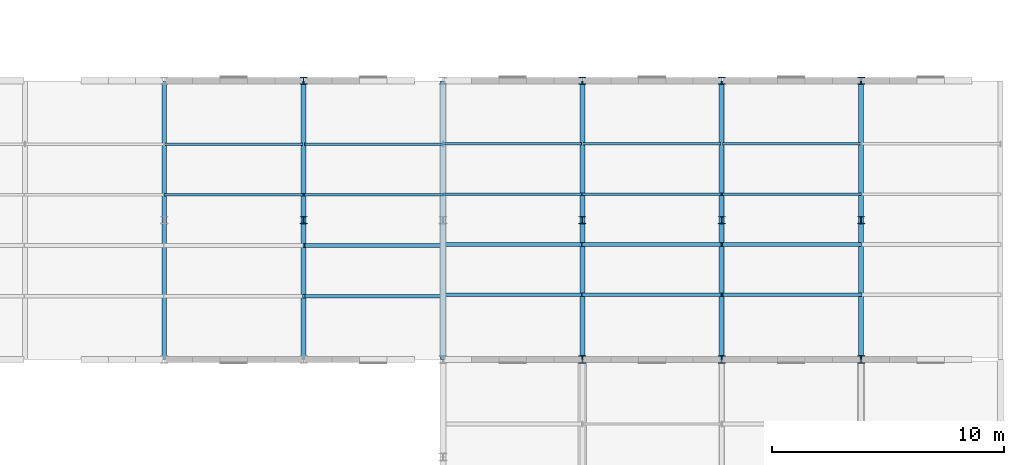
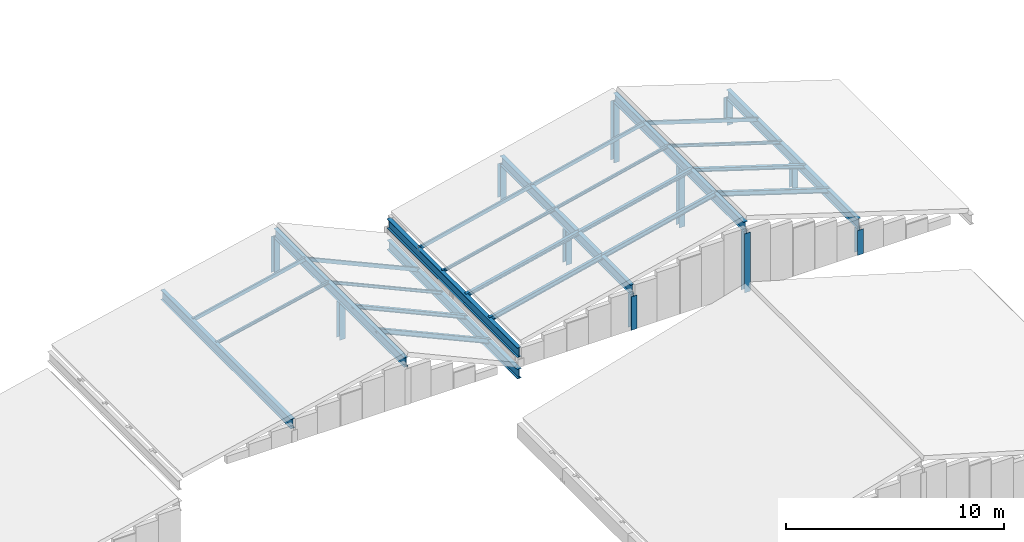
# One storey, part 18 of 74: 29 members, 7 beams.
"""IFC4 building model written with IfcOpenShell, lengths in metres."""

import ifcopenshell
import ifcopenshell.guid

model = None  # the IFC model being written
_history = None  # IfcOwnerHistory: only IFC2X3 demands one
_inside = {}  # id of a spatial element -> (the spatial element, [elements in it])
_under = {}  # id of a project, library or spatial element -> (it, [spatial elements below it])
_declared = {}  # id of a project -> (the project, [libraries it declares])
_typed = {}  # id of a type object -> (the type object, [elements of that type])
_made_of = {}  # id of a material, layer set ... -> (it, [elements and type objects made of it])


def new_model(schema):
    """Start an empty IFC model of exactly this schema.

    Asked for "IFC4X3", IfcOpenShell would pick the latest addendum, in which some entities
    have other attributes; the version numbers below select the first issue.
    IFC2X3 requires an IfcOwnerHistory on every rooted entity: one is made here for all.
    """
    global model, _history
    if schema == "IFC4X3":
        model = ifcopenshell.file(schema_version=(4, 3, 0, 0))
    else:
        model = ifcopenshell.file(schema=schema)
    _inside.clear()
    _under.clear()
    _declared.clear()
    _typed.clear()
    _made_of.clear()
    _history = None
    if model.schema == "IFC2X3":
        org = make("IfcOrganization", Name="unknown")
        user = make(
            "IfcPersonAndOrganization",
            ThePerson=make("IfcPerson", FamilyName="unknown"),
            TheOrganization=org,
        )
        app = make(
            "IfcApplication",
            ApplicationDeveloper=org,
            Version="unknown",
            ApplicationFullName="unknown",
            ApplicationIdentifier="unknown",
        )
        _history = make(
            "IfcOwnerHistory",
            OwningUser=user,
            OwningApplication=app,
            ChangeAction="ADDED",
            CreationDate=0,
        )
    return model


def make(cls, **values):
    """One entity of the class cls with the attributes given. An attribute that is None is left unset."""
    return model.create_entity(
        cls, **{name: value for name, value in values.items() if value is not None}
    )


def rooted(cls, **values):
    """An entity with a GlobalId (a new one), such as an element, a storey or a relation."""
    return make(cls, GlobalId=ifcopenshell.guid.new(), OwnerHistory=_history, **values)


def si_unit(unit_type, name, prefix=None):
    """IfcSIUnit, for example si_unit("LENGTHUNIT", "METRE", prefix="MILLI")."""
    return make("IfcSIUnit", UnitType=unit_type, Prefix=prefix, Name=name)


def assignment(units):
    """IfcUnitAssignment: the units of a project."""
    return None if units is None else make("IfcUnitAssignment", Units=units)


def point(xyz):
    """IfcCartesianPoint."""
    return None if xyz is None else make("IfcCartesianPoint", Coordinates=xyz)


def direction(xyz):
    """IfcDirection."""
    return None if xyz is None else make("IfcDirection", DirectionRatios=xyz)


def frame(location, z_axis=None, x_axis=None):
    """IfcAxis2Placement3D, a coordinate frame: its origin and axes. An axis left out is left unset."""
    return make(
        "IfcAxis2Placement3D",
        Location=point(location),
        Axis=direction(z_axis),
        RefDirection=direction(x_axis),
    )


def frame_2d(location, x_axis=None):
    """IfcAxis2Placement2D, a coordinate frame in the plane: its origin and x axis."""
    return make(
        "IfcAxis2Placement2D", Location=point(location), RefDirection=direction(x_axis)
    )


def origin():
    """The frame at (0, 0, 0) with its axes left unset."""
    return frame((0.0, 0.0, 0.0))


def origin_2d():
    """The frame at (0, 0) in the plane with its x axis left unset."""
    return frame_2d((0.0, 0.0))


def place(relative_to, where):
    """IfcLocalPlacement: puts the frame where relative to a parent placement (None: the world)."""
    return make(
        "IfcLocalPlacement", PlacementRelTo=relative_to, RelativePlacement=where
    )


def context(
    kind, dimensions, precision=None, world=None, true_north=None, identifier=None
):
    """IfcGeometricRepresentationContext, for example the 3D "Model" context."""
    return make(
        "IfcGeometricRepresentationContext",
        ContextIdentifier=identifier,
        ContextType=kind,
        CoordinateSpaceDimension=dimensions,
        Precision=precision,
        WorldCoordinateSystem=world,
        TrueNorth=true_north,
    )


def subcontext(parent, identifier, kind, view, scale=None):
    """IfcGeometricRepresentationSubContext, for example "Body" below "Model"."""
    return make(
        "IfcGeometricRepresentationSubContext",
        ContextIdentifier=identifier,
        ContextType=kind,
        ParentContext=parent,
        TargetScale=scale,
        TargetView=view,
    )


def project(units=None, contexts=None):
    """IfcProject with its units and contexts."""
    return rooted(
        "IfcProject",
        Name="project",
        RepresentationContexts=contexts,
        UnitsInContext=assignment(units),
    )


def spatial(cls, under=None, at=None, **own):
    """A site, building, storey or space (cls), placed at a placement, below another one or the project."""
    s = rooted(cls, ObjectPlacement=at, **own)
    if under is not None:
        _under.setdefault(under.id(), (under, []))[1].append(s)
    return s


def profile(cls, at=None, kind="AREA", **sizes):
    """A parametric profile (cls). Its sizes go by their IFC names, for example OverallWidth=200.0."""
    return make(cls, ProfileType=kind, Position=at, **sizes)


def hollow_rectangle(**sizes):
    """IfcRectangleHollowProfileDef."""
    return profile("IfcRectangleHollowProfileDef", **sizes)


def i_section(**sizes):
    """IfcIShapeProfileDef."""
    return profile("IfcIShapeProfileDef", **sizes)


def extrude(swept, where, along, depth):
    """IfcExtrudedAreaSolid: the profile swept, set in the frame where, extruded along a direction by depth."""
    return make(
        "IfcExtrudedAreaSolid",
        SweptArea=swept,
        Position=where,
        ExtrudedDirection=direction(along),
        Depth=depth,
    )


def shape(context_of_items, identifier, shape_type, items):
    """IfcShapeRepresentation: the items that make up one representation, for example the "Body"."""
    return make(
        "IfcShapeRepresentation",
        ContextOfItems=context_of_items,
        RepresentationIdentifier=identifier,
        RepresentationType=shape_type,
        Items=items,
    )


def material(Name=None, Category=None):
    """IfcMaterial."""
    return make("IfcMaterial", Name=Name, Category=Category)


def material_profile(
    of_material, cross_section, Name=None, Category=None, Priority=None
):
    """IfcMaterialProfile: a cross section and its material."""
    return make(
        "IfcMaterialProfile",
        Name=Name,
        Material=of_material,
        Profile=cross_section,
        Priority=Priority,
        Category=Category,
    )


def profile_set(profiles, Name=None, composite=None):
    """IfcMaterialProfileSet."""
    return make(
        "IfcMaterialProfileSet",
        Name=Name,
        MaterialProfiles=profiles,
        CompositeProfile=composite,
    )


def made_of(thing, what):
    """Note that an element or type object is made of a material, layer set ...; save() writes the relation."""
    if what is not None:
        _made_of.setdefault(what.id(), (what, []))[1].append(thing)
    return thing


def type_object(cls, material=None, **own):
    """A type object (cls), such as IfcWallType, which elements share."""
    return made_of(rooted(cls, **own), material)


def element(
    cls,
    number,
    at=None,
    inside=None,
    cuts=None,
    type_object=None,
    material=None,
    context=None,
    identifier="Body",
    shape_type=None,
    held_by="IfcProductDefinitionShape",
    body=None,
    shapes=None,
    **own,
):
    """One element of the class cls, such as IfcWall. Its Tag is "e" and its number.

    at: its placement. inside: the storey or other place that contains it. cuts: it is an
    opening in that element (IfcRelVoidsElement). A single representation is given by context,
    identifier, shape_type and body (its items); several are given by shapes. held_by: the class
    of the entity that holds the representations. save() writes the other relations.
    """
    e = rooted(cls, Tag="e%d" % number, ObjectPlacement=at, **own)
    if body is not None:
        shapes = [shape(context, identifier, shape_type, body)]
    if shapes is not None:
        e.Representation = make(held_by, Representations=shapes)
    if inside is not None:
        _inside.setdefault(inside.id(), (inside, []))[1].append(e)
    if cuts is not None:
        rooted(
            "IfcRelVoidsElement", RelatingBuildingElement=cuts, RelatedOpeningElement=e
        )
    if type_object is not None:
        _typed.setdefault(type_object.id(), (type_object, []))[1].append(e)
    return made_of(e, material)


def aggregate(whole, parts):
    """IfcRelAggregates: a whole, such as a stair, and the parts it consists of."""
    return rooted("IfcRelAggregates", RelatingObject=whole, RelatedObjects=parts)


def save(model, path):
    """Write the relations noted so far, then the file.

    IfcRelAggregates (storeys below a building ...), IfcRelContainedInSpatialStructure (elements
    in a storey), IfcRelDefinesByType, IfcRelAssociatesMaterial and IfcRelDeclares: one each for
    every whole, place, type object, material and project.
    """
    for whole, parts in _under.values():
        aggregate(whole, parts)
    for where, things in _inside.values():
        rooted(
            "IfcRelContainedInSpatialStructure",
            RelatedElements=things,
            RelatingStructure=where,
        )
    for kind, things in _typed.values():
        rooted("IfcRelDefinesByType", RelatedObjects=things, RelatingType=kind)
    for what, things in _made_of.values():
        rooted("IfcRelAssociatesMaterial", RelatedObjects=things, RelatingMaterial=what)
    for by, libraries in _declared.values():
        rooted("IfcRelDeclares", RelatingContext=by, RelatedDefinitions=libraries)
    model.write(path)


model = new_model("IFC4")

# Units and contexts
model_context = context("Model", 3, precision=1e-05, world=origin(), true_north=direction((0.0, 1.0)))
body_context = subcontext(model_context, "Body", "Model", "MODEL_VIEW")
ifc_project = project(units=[si_unit("LENGTHUNIT", "METRE"), si_unit("AREAUNIT", "SQUARE_METRE"), si_unit("VOLUMEUNIT", "CUBIC_METRE"), si_unit("PLANEANGLEUNIT", "RADIAN"), si_unit("MASSUNIT", "GRAM", prefix="KILO")], contexts=[model_context])

# Site, building, storey
site_placement = place(None, origin())
site = spatial("IfcSite", under=ifc_project, at=site_placement, CompositionType="ELEMENT")
building_placement = place(site_placement, origin())
building = spatial("IfcBuilding", under=site, at=building_placement, Name="Siltcreek Boulevard Central Fire Station", CompositionType="ELEMENT")
storey_placement = place(building_placement, frame((0.0, 0.0, 25.199951171875)))
storey = spatial("IfcBuildingStorey", under=building, at=storey_placement, Name="RF", CompositionType="ELEMENT", Elevation=25.199951171875)

# Beams
ifc_material_1 = material(Name="Structural steel ASTM A992 Gr50", Category="steel")
ifc_material_profile_1 = material_profile(ifc_material_1, i_section(OverallWidth=0.2109375, OverallDepth=0.5390625, WebThickness=0.01171875, FlangeThickness=0.018798828125, at=origin_2d()), Name="W530X109")
ifc_profile_set_1 = profile_set([ifc_material_profile_1], Name="Structural steel ASTM A992 Gr50")
beam_type = type_object("IfcBeamType", Name="BM_W530X109", PredefinedType="BEAM", material=ifc_profile_set_1)
for number, where, z_axis, x_axis, name in (
    (1, (130.199951171875, 18.010009765625, -10.27197265625), (0.0, 1.0, 0.0), (-1.0, 0.0, 0.0), "Pitched roof rafter beam RFB-061"),
    (2, (136.199951171875, 18.010009765625, -8.921875), (0.0, 1.0, 0.0), (-1.0, 0.0, 0.0), "Pitched roof rafter beam RFB-062"),
    (3, (142.199951171875, 18.010009765625, -11.66796875), (0.0, 1.0, 0.0), (-1.0, 0.0, 0.0), "Pitched roof rafter beam RFB-063"),
    (4, (142.199951171875, 18.010009765625, -10.474365234375), (0.0, 1.0, 0.0), (-1.0, 0.0, 0.0), "Pitched roof rafter beam RFB-069"),
    (5, (148.199951171875, 18.010009765625, -9.04931640625), (0.0, 1.0, 0.0), (-1.0, 0.0, 0.0), "Pitched roof rafter beam RFB-070"),
    (6, (154.199951171875, 18.010009765625, -7.624267578125), (0.0, 1.0, 0.0), (-1.0, 0.0, 0.0), "Pitched roof rafter beam RFB-071"),
    (7, (160.199951171875, 18.010009765625, -9.53955078125), (0.0, 1.0, 0.0), (-1.0, 0.0, 0.0), "Pitched roof rafter beam RFB-072"),
):
    element("IfcBeam", number, at=place(storey_placement, frame(where, z_axis=z_axis, x_axis=x_axis)), inside=storey, type_object=beam_type, Name=name, PredefinedType="BEAM", context=body_context, shape_type="SweptSolid", body=[
        extrude(i_section(OverallWidth=0.2109375, OverallDepth=0.5390625, WebThickness=0.01171875, FlangeThickness=0.018798828125, at=origin_2d()), origin(), (0.0, 0.0, 1.0), 11.97998046875),
    ])

# Members
ifc_material_profile_2 = material_profile(ifc_material_1, i_section(OverallWidth=0.304931640625, OverallDepth=0.30810546875, WebThickness=0.010009765625, FlangeThickness=0.015380859375, at=origin_2d()), Name="W310X97")
ifc_profile_set_2 = profile_set([ifc_material_profile_2], Name="Structural steel ASTM A992 Gr50")
member_type_1 = type_object("IfcMemberType", Name="CH_W310X97", PredefinedType="CHORD", material=ifc_profile_set_2)
for number, where, z_axis, x_axis, name in (
    (8, (136.199951171875, 24.0, -11.199951171875), (0.0, 0.0, 1.0), (1.0, 0.0, 0.0), "Roof bearing truss post 0769"),
    (9, (136.199951171875, 30.0, -11.199951171875), (0.0, 0.0, 1.0), (1.0, 0.0, 0.0), "Roof bearing truss post 0770"),
):
    element("IfcMember", number, at=place(storey_placement, frame(where, z_axis=z_axis, x_axis=x_axis)), inside=storey, type_object=member_type_1, Name=name, PredefinedType="CHORD", context=body_context, shape_type="SweptSolid", body=[
        extrude(i_section(OverallWidth=0.304931640625, OverallDepth=0.30810546875, WebThickness=0.010009765625, FlangeThickness=0.015380859375, at=origin_2d()), origin(), (0.0, 0.0, 1.0), 2.012451171875),
    ])
for number, where, z_axis, x_axis, name in (
    (10, (148.199951171875, 18.0, -11.199951171875), (0.0, 0.0, 1.0), (1.0, 0.0, 0.0), "Roof bearing truss post 0782"),
    (11, (148.199951171875, 24.0, -11.199951171875), (0.0, 0.0, 1.0), (1.0, 0.0, 0.0), "Roof bearing truss post 0783"),
    (12, (148.199951171875, 30.0, -11.199951171875), (0.0, 0.0, 1.0), (1.0, 0.0, 0.0), "Roof bearing truss post 0784"),
):
    element("IfcMember", number, at=place(storey_placement, frame(where, z_axis=z_axis, x_axis=x_axis)), inside=storey, type_object=member_type_1, Name=name, PredefinedType="CHORD", context=body_context, shape_type="SweptSolid", body=[
        extrude(i_section(OverallWidth=0.304931640625, OverallDepth=0.30810546875, WebThickness=0.010009765625, FlangeThickness=0.015380859375, at=origin_2d()), origin(), (0.0, 0.0, 1.0), 1.88525390625),
    ])
for number, where, z_axis, x_axis, name in (
    (13, (154.199951171875, 18.0, -11.199951171875), (0.0, 0.0, 1.0), (1.0, 0.0, 0.0), "Roof bearing truss post 0789"),
    (14, (154.199951171875, 24.0, -11.199951171875), (0.0, 0.0, 1.0), (1.0, 0.0, 0.0), "Roof bearing truss post 0790"),
    (15, (154.199951171875, 30.0, -11.199951171875), (0.0, 0.0, 1.0), (1.0, 0.0, 0.0), "Roof bearing truss post 0791"),
):
    element("IfcMember", number, at=place(storey_placement, frame(where, z_axis=z_axis, x_axis=x_axis)), inside=storey, type_object=member_type_1, Name=name, PredefinedType="CHORD", context=body_context, shape_type="SweptSolid", body=[
        extrude(i_section(OverallWidth=0.304931640625, OverallDepth=0.30810546875, WebThickness=0.010009765625, FlangeThickness=0.015380859375, at=origin_2d()), origin(), (0.0, 0.0, 1.0), 3.310302734375),
    ])
for number, where, z_axis, x_axis, name in (
    (16, (160.199951171875, 18.0, -11.199951171875), (0.0, 0.0, 1.0), (1.0, 0.0, 0.0), "Roof bearing truss post 0796"),
    (17, (160.199951171875, 24.0, -11.199951171875), (0.0, 0.0, 1.0), (1.0, 0.0, 0.0), "Roof bearing truss post 0797"),
    (18, (160.199951171875, 30.0, -11.199951171875), (0.0, 0.0, 1.0), (1.0, 0.0, 0.0), "Roof bearing truss post 0798"),
):
    element("IfcMember", number, at=place(storey_placement, frame(where, z_axis=z_axis, x_axis=x_axis)), inside=storey, type_object=member_type_1, Name=name, PredefinedType="CHORD", context=body_context, shape_type="SweptSolid", body=[
        extrude(i_section(OverallWidth=0.304931640625, OverallDepth=0.30810546875, WebThickness=0.010009765625, FlangeThickness=0.015380859375, at=origin_2d()), origin(), (0.0, 0.0, 1.0), 1.39501953125),
    ])
ifc_material_2 = material(Name="Structural steel ASTM A500 GrC", Category="steel")
ifc_material_profile_3 = material_profile(ifc_material_2, hollow_rectangle(XDim=0.10009765625, YDim=0.199951171875, WallThickness=0.00634765625, at=origin_2d()), Name="HSS200X100X6.4")
ifc_profile_set_3 = profile_set([ifc_material_profile_3], Name="Structural steel ASTM A500 GrC")
member_type_2 = type_object("IfcMemberType", Name="PR_HSS200X100", PredefinedType="PURLIN", material=ifc_profile_set_3)
member_1_placement = place(storey_placement, frame((130.2099609375, 27.27001953125, -10.070556640625), z_axis=(0.975602505083, 0.0, 0.219544419369), x_axis=(0.0, 1.0, 0.0)))
element("IfcMember", 19, at=member_1_placement, inside=storey, type_object=member_type_2, Name="Sloped roof purlin PR-0303", PredefinedType="PURLIN", context=body_context, shape_type="SweptSolid", body=[
    extrude(hollow_rectangle(XDim=0.10009765625, YDim=0.199951171875, WallThickness=0.00634765625, at=origin_2d()), origin(), (0.0, 0.0, 1.0), 6.129638671875),
])
member_2_placement = place(storey_placement, frame((136.2099609375, 27.27001953125, -8.752197265625), z_axis=(0.911911752359, 0.0, -0.410386349565), x_axis=(0.0, 1.0, 0.0)))
element("IfcMember", 20, at=member_2_placement, inside=storey, type_object=member_type_2, Name="Sloped roof purlin PR-0307", PredefinedType="PURLIN", context=body_context, shape_type="SweptSolid", body=[
    extrude(hollow_rectangle(XDim=0.10009765625, YDim=0.199951171875, WallThickness=0.00634765625, at=origin_2d()), origin(), (0.0, 0.0, 1.0), 6.5576171875),
])
for number, where, z_axis, x_axis, name in (
    (21, (142.2099609375, 27.285888671875, -10.271240234375), (0.972939452942, 0.0, 0.231060210572), (0.0, 1.0, 0.0), "Sloped roof purlin PR-0335"),
    (22, (148.2099609375, 27.285888671875, -8.84619140625), (0.972939452942, 0.0, 0.231060210572), (0.0, 1.0, 0.0), "Sloped roof purlin PR-0339"),
):
    element("IfcMember", number, at=place(storey_placement, frame(where, z_axis=z_axis, x_axis=x_axis)), inside=storey, type_object=member_type_2, Name=name, PredefinedType="PURLIN", context=body_context, shape_type="SweptSolid", body=[
        extrude(hollow_rectangle(XDim=0.10009765625, YDim=0.199951171875, WallThickness=0.00634765625, at=origin_2d()), origin(), (0.0, 0.0, 1.0), 6.146240234375),
    ])
member_3_placement = place(storey_placement, frame((154.2099609375, 27.285888671875, -7.434326171875), z_axis=(0.95334707938, 0.0, -0.301876375752), x_axis=(0.0, 1.0, 0.0)))
element("IfcMember", 23, at=member_3_placement, inside=storey, type_object=member_type_2, Name="Sloped roof purlin PR-0343", PredefinedType="PURLIN", context=body_context, shape_type="SweptSolid", body=[
    extrude(hollow_rectangle(XDim=0.10009765625, YDim=0.199951171875, WallThickness=0.00634765625, at=origin_2d()), origin(), (0.0, 0.0, 1.0), 6.272705078125),
])
ifc_material_profile_4 = material_profile(ifc_material_1, i_section(OverallWidth=0.10205078125, OverallDepth=0.159912109375, WebThickness=0.006591796875, FlangeThickness=0.01025390625, at=origin_2d()), Name="W150X24")
ifc_profile_set_4 = profile_set([ifc_material_profile_4], Name="Structural steel ASTM A992 Gr50")
member_type_3 = type_object("IfcMemberType", Name="PR_W150X24", PredefinedType="PURLIN", material=ifc_profile_set_4)
member_4_placement = place(storey_placement, frame((130.2099609375, 25.090087890625, -10.050048828125), z_axis=(0.975602505083, 0.0, 0.219544419369), x_axis=(0.0, 1.0, 0.0)))
element("IfcMember", 24, at=member_4_placement, inside=storey, type_object=member_type_3, Name="Sloped roof purlin PR-0302", PredefinedType="PURLIN", context=body_context, shape_type="SweptSolid", body=[
    extrude(i_section(OverallWidth=0.10205078125, OverallDepth=0.159912109375, WebThickness=0.006591796875, FlangeThickness=0.01025390625, at=origin_2d()), origin(), (0.0, 0.0, 1.0), 6.129638671875),
])
member_5_placement = place(storey_placement, frame((136.2099609375, 25.090087890625, -8.730224609375), z_axis=(0.911911752359, 0.0, -0.410386349565), x_axis=(0.0, 1.0, 0.0)))
element("IfcMember", 25, at=member_5_placement, inside=storey, type_object=member_type_3, Name="Sloped roof purlin PR-0306", PredefinedType="PURLIN", context=body_context, shape_type="SweptSolid", body=[
    extrude(i_section(OverallWidth=0.10205078125, OverallDepth=0.159912109375, WebThickness=0.006591796875, FlangeThickness=0.01025390625, at=origin_2d()), origin(), (0.0, 0.0, 1.0), 6.5576171875),
])
for number, where, z_axis, x_axis, name in (
    (26, (142.2099609375, 25.1220703125, -10.250732421875), (0.972939452942, 0.0, 0.231060210572), (0.0, 1.0, 0.0), "Sloped roof purlin PR-0334"),
    (27, (148.2099609375, 25.1220703125, -8.82568359375), (0.972939452942, 0.0, 0.231060210572), (0.0, 1.0, 0.0), "Sloped roof purlin PR-0338"),
):
    element("IfcMember", number, at=place(storey_placement, frame(where, z_axis=z_axis, x_axis=x_axis)), inside=storey, type_object=member_type_3, Name=name, PredefinedType="PURLIN", context=body_context, shape_type="SweptSolid", body=[
        extrude(i_section(OverallWidth=0.10205078125, OverallDepth=0.159912109375, WebThickness=0.006591796875, FlangeThickness=0.01025390625, at=origin_2d()), origin(), (0.0, 0.0, 1.0), 6.146240234375),
    ])
member_6_placement = place(storey_placement, frame((154.2099609375, 25.1220703125, -7.413330078125), z_axis=(0.95334707938, 0.0, -0.301876375752), x_axis=(0.0, 1.0, 0.0)))
element("IfcMember", 28, at=member_6_placement, inside=storey, type_object=member_type_3, Name="Sloped roof purlin PR-0342", PredefinedType="PURLIN", context=body_context, shape_type="SweptSolid", body=[
    extrude(i_section(OverallWidth=0.10205078125, OverallDepth=0.159912109375, WebThickness=0.006591796875, FlangeThickness=0.01025390625, at=origin_2d()), origin(), (0.0, 0.0, 1.0), 6.272705078125),
])
ifc_material_profile_5 = material_profile(ifc_material_1, i_section(OverallWidth=0.1650390625, OverallDepth=0.200927734375, WebThickness=0.006103515625, FlangeThickness=0.01025390625, at=origin_2d()), Name="W200X36")
ifc_profile_set_5 = profile_set([ifc_material_profile_5], Name="Structural steel ASTM A992 Gr50")
member_type_4 = type_object("IfcMemberType", Name="PR_W200X36", PredefinedType="PURLIN", material=ifc_profile_set_5)
member_7_placement = place(storey_placement, frame((136.2099609375, 22.909912109375, -8.752685546875), z_axis=(0.911911752359, 0.0, -0.410386349565), x_axis=(0.0, 1.0, 0.0)))
element("IfcMember", 29, at=member_7_placement, inside=storey, type_object=member_type_4, Name="Sloped roof purlin PR-0305", PredefinedType="PURLIN", context=body_context, shape_type="SweptSolid", body=[
    extrude(i_section(OverallWidth=0.1650390625, OverallDepth=0.200927734375, WebThickness=0.006103515625, FlangeThickness=0.01025390625, at=origin_2d()), origin(), (0.0, 0.0, 1.0), 6.5576171875),
])
for number, where, z_axis, x_axis, name in (
    (30, (142.2099609375, 22.9580078125, -10.271728515625), (0.972939452942, 0.0, 0.231060210572), (0.0, 1.0, 0.0), "Sloped roof purlin PR-0333"),
    (31, (148.2099609375, 22.9580078125, -8.846923828125), (0.972930522593, 0.0, 0.231097810911), (0.0, 1.0, 0.0), "Sloped roof purlin PR-0337"),
):
    element("IfcMember", number, at=place(storey_placement, frame(where, z_axis=z_axis, x_axis=x_axis)), inside=storey, type_object=member_type_4, Name=name, PredefinedType="PURLIN", context=body_context, shape_type="SweptSolid", body=[
        extrude(i_section(OverallWidth=0.1650390625, OverallDepth=0.200927734375, WebThickness=0.006103515625, FlangeThickness=0.01025390625, at=origin_2d()), origin(), (0.0, 0.0, 1.0), 6.146240234375),
    ])
member_8_placement = place(storey_placement, frame((154.2099609375, 22.9580078125, -7.434814453125), z_axis=(0.95334707938, 0.0, -0.301876375752), x_axis=(0.0, 1.0, 0.0)))
element("IfcMember", 32, at=member_8_placement, inside=storey, type_object=member_type_4, Name="Sloped roof purlin PR-0341", PredefinedType="PURLIN", context=body_context, shape_type="SweptSolid", body=[
    extrude(i_section(OverallWidth=0.1650390625, OverallDepth=0.200927734375, WebThickness=0.006103515625, FlangeThickness=0.01025390625, at=origin_2d()), origin(), (0.0, 0.0, 1.0), 6.272705078125),
])
ifc_material_profile_6 = material_profile(ifc_material_1, i_section(OverallWidth=0.14697265625, OverallDepth=0.261962890625, WebThickness=0.006591796875, FlangeThickness=0.01123046875, at=origin_2d()), Name="W250X39")
ifc_profile_set_6 = profile_set([ifc_material_profile_6], Name="Structural steel ASTM A992 Gr50")
member_type_5 = type_object("IfcMemberType", Name="PR_W250X39", PredefinedType="PURLIN", material=ifc_profile_set_6)
member_9_placement = place(storey_placement, frame((136.2099609375, 20.72998046875, -8.7861328125), z_axis=(0.911911752359, 0.0, -0.410386349565), x_axis=(0.0, 1.0, 0.0)))
element("IfcMember", 33, at=member_9_placement, inside=storey, type_object=member_type_5, Name="Sloped roof purlin PR-0304", PredefinedType="PURLIN", context=body_context, shape_type="SweptSolid", body=[
    extrude(i_section(OverallWidth=0.14697265625, OverallDepth=0.261962890625, WebThickness=0.006591796875, FlangeThickness=0.01123046875, at=origin_2d()), origin(), (0.0, 0.0, 1.0), 6.5576171875),
])
for number, where, z_axis, x_axis, name in (
    (34, (142.2099609375, 20.7939453125, -10.30322265625), (0.972930522593, 0.0, 0.231097810911), (0.0, 1.0, 0.0), "Sloped roof purlin PR-0332"),
    (35, (148.2099609375, 20.7939453125, -8.878173828125), (0.972939452942, 0.0, 0.231060210572), (0.0, 1.0, 0.0), "Sloped roof purlin PR-0336"),
):
    element("IfcMember", number, at=place(storey_placement, frame(where, z_axis=z_axis, x_axis=x_axis)), inside=storey, type_object=member_type_5, Name=name, PredefinedType="PURLIN", context=body_context, shape_type="SweptSolid", body=[
        extrude(i_section(OverallWidth=0.14697265625, OverallDepth=0.261962890625, WebThickness=0.006591796875, FlangeThickness=0.01123046875, at=origin_2d()), origin(), (0.0, 0.0, 1.0), 6.146240234375),
    ])
member_10_placement = place(storey_placement, frame((154.2099609375, 20.7939453125, -7.466796875), z_axis=(0.95334707938, 0.0, -0.301876375752), x_axis=(0.0, 1.0, 0.0)))
element("IfcMember", 36, at=member_10_placement, inside=storey, type_object=member_type_5, Name="Sloped roof purlin PR-0340", PredefinedType="PURLIN", context=body_context, shape_type="SweptSolid", body=[
    extrude(i_section(OverallWidth=0.14697265625, OverallDepth=0.261962890625, WebThickness=0.006591796875, FlangeThickness=0.01123046875, at=origin_2d()), origin(), (0.0, 0.0, 1.0), 6.272705078125),
])

save(model, "model.ifc")
